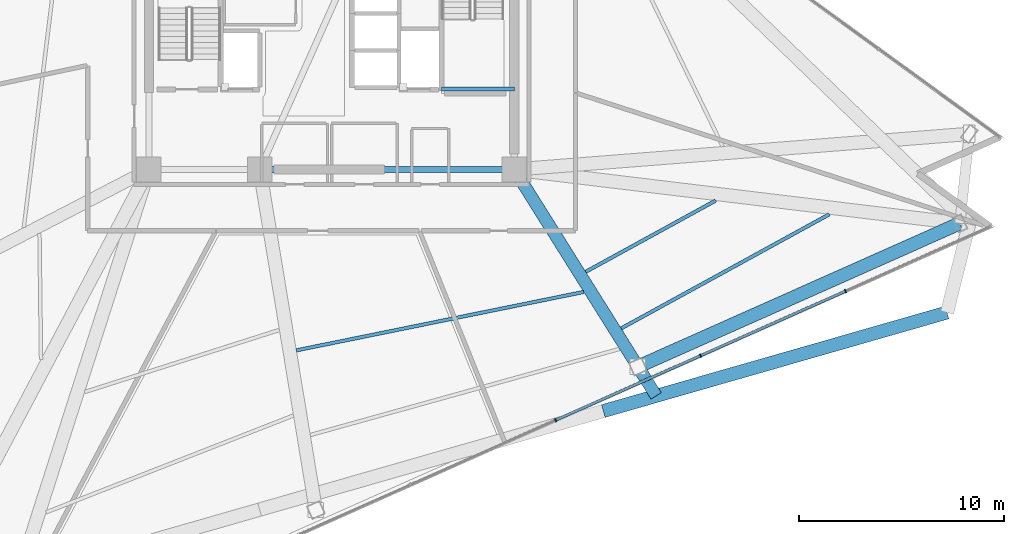
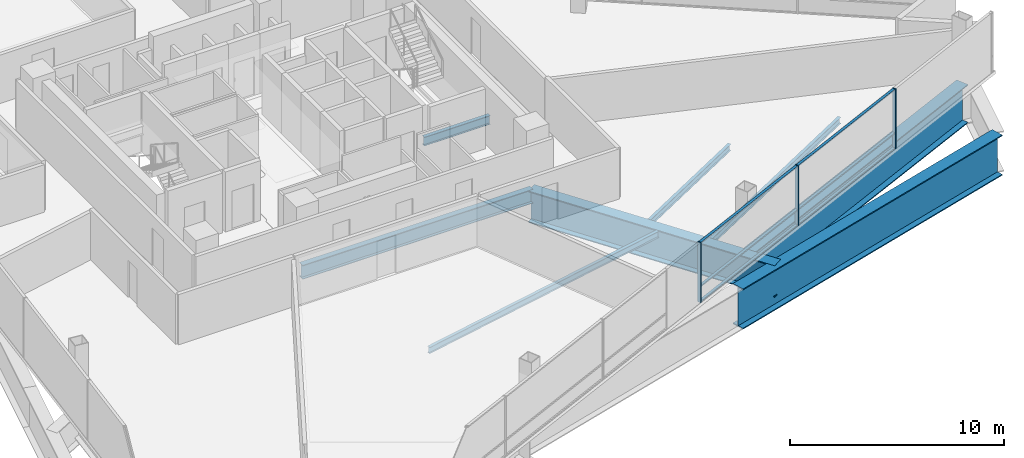
# One storey, part 5 of 17: 9 members, 8 beams, 1 element without a shape of its own.
"""IFC4 building model written with IfcOpenShell, lengths in metres."""

from ifc_helpers import new_model, si_unit, direction, frame, origin, origin_2d, place, context, subcontext, project, spatial, rectangle, i_section, extrude, material, layer, layer_set, material_profile, profile_set, type_object, element, aggregate, save


model = new_model("IFC4")

# Units and contexts
model_context = context("Model", 3, precision=1e-05, world=origin(), true_north=direction((0.0, 1.0)))
body_context = subcontext(model_context, "Body", "Model", "MODEL_VIEW")
ifc_project = project(units=[si_unit("LENGTHUNIT", "METRE"), si_unit("AREAUNIT", "SQUARE_METRE"), si_unit("VOLUMEUNIT", "CUBIC_METRE"), si_unit("PLANEANGLEUNIT", "RADIAN"), si_unit("MASSUNIT", "GRAM", prefix="KILO")], contexts=[model_context])

# Site, building, storey
site_placement = place(None, origin())
site = spatial("IfcSite", under=ifc_project, at=site_placement, CompositionType="ELEMENT")
building_placement = place(site_placement, origin())
building = spatial("IfcBuilding", under=site, at=building_placement, Name="Tharavind Bronze Gate", CompositionType="ELEMENT")
storey_placement = place(building_placement, frame((0.0, 0.0, 112.449951171875)))
storey = spatial("IfcBuildingStorey", under=building, at=storey_placement, Name="L28", CompositionType="ELEMENT", Elevation=112.449951171875)

# Curtain wall, members
ifc_material_1 = material(Name="Anodised Bronze Aluminium", Category="aluminium")
ifc_layer = layer(ifc_material_1, 0.219970703125)
ifc_layer_set = layer_set([ifc_layer], Name="Anodised Bronze Aluminium")
curtain_wall_type = type_object("IfcCurtainWallType", Name="UNITISED CURTAIN WALL LOWER OFFICE", PredefinedType="USERDEFINED", material=ifc_layer_set)
curtain_wall_placement = place(storey_placement, origin())
curtain_wall = element("IfcCurtainWall", 1, at=curtain_wall_placement, inside=storey, type_object=curtain_wall_type, Name="L28 unitised curtain wall lower office CW-L28-S2", ObjectType="UNITISED CURTAIN WALL", PredefinedType="USERDEFINED")
member_type_1 = type_object("IfcMemberType", Name="CURTAIN WALL BRONZE MULLION 65X180", PredefinedType="MULLION", material=ifc_material_1)
member_1_placement = place(storey_placement, frame((10.913330078125, -19.80859375, 0.0), z_axis=(0.0, 0.0, 1.0), x_axis=(0.913545457643, 0.406736643076, 0.0)))
member_1 = element("IfcMember", 2, at=member_1_placement, type_object=member_type_1, Name="CW-L28-S2 mullion 5", PredefinedType="MULLION", context=body_context, shape_type="SweptSolid", body=[
    extrude(rectangle(XDim=0.06494140625, YDim=0.179931640625, at=origin_2d()), origin(), (0.0, 0.0, 1.0), 3.409912109375),
])
member_2_placement = place(storey_placement, frame((17.9755859375, -16.664306640625, 0.0), z_axis=(0.0, 0.0, 1.0), x_axis=(0.913545457643, 0.406736643076, 0.0)))
member_2 = element("IfcMember", 3, at=member_2_placement, type_object=member_type_1, Name="CW-L28-S2 mullion 6", PredefinedType="MULLION", context=body_context, shape_type="SweptSolid", body=[
    extrude(rectangle(XDim=0.06494140625, YDim=0.179931640625, at=origin_2d()), origin(), (0.0, 0.0, 1.0), 3.409912109375),
])
member_3_placement = place(storey_placement, frame((25.03759765625, -13.520263671875, 0.0), z_axis=(0.0, 0.0, 1.0), x_axis=(0.913545457643, 0.406736643076, 0.0)))
member_3 = element("IfcMember", 4, at=member_3_placement, type_object=member_type_1, Name="CW-L28-S2 mullion 7", PredefinedType="MULLION", context=body_context, shape_type="SweptSolid", body=[
    extrude(rectangle(XDim=0.06494140625, YDim=0.179931640625, at=origin_2d()), origin(), (0.0, 0.0, 1.0), 3.409912109375),
])
member_type_2 = type_object("IfcMemberType", Name="CURTAIN WALL BRONZE TRANSOM 65X140", PredefinedType="USERDEFINED", material=ifc_material_1)
member_4_placement = place(storey_placement, frame((14.4443359375, -18.236572265625, 0.0), z_axis=(0.0, 0.0, 1.0), x_axis=(0.913545457643, 0.406736643076, 0.0)))
member_4 = element("IfcMember", 5, at=member_4_placement, type_object=member_type_2, Name="CW-L28-S2 transom TB5", ObjectType="TRANSOM", PredefinedType="USERDEFINED", context=body_context, shape_type="SweptSolid", body=[
    extrude(rectangle(XDim=7.677490234375, YDim=0.139892578125, at=origin_2d()), origin(), (0.0, 0.0, 1.0), 0.06494140625),
])
member_5_placement = place(storey_placement, frame((14.4443359375, -18.236572265625, 0.86767578125), z_axis=(0.0, 0.0, 1.0), x_axis=(0.913545457643, 0.406736643076, 0.0)))
member_5 = element("IfcMember", 6, at=member_5_placement, type_object=member_type_2, Name="CW-L28-S2 transom TS5", ObjectType="TRANSOM", PredefinedType="USERDEFINED", context=body_context, shape_type="SweptSolid", body=[
    extrude(rectangle(XDim=7.677490234375, YDim=0.139892578125, at=origin_2d()), origin(), (0.0, 0.0, 1.0), 0.06494140625),
])
member_6_placement = place(storey_placement, frame((14.4443359375, -18.236572265625, 3.344970703125), z_axis=(0.0, 0.0, 1.0), x_axis=(0.913545457643, 0.406736643076, 0.0)))
member_6 = element("IfcMember", 7, at=member_6_placement, type_object=member_type_2, Name="CW-L28-S2 transom TT5", ObjectType="TRANSOM", PredefinedType="USERDEFINED", context=body_context, shape_type="SweptSolid", body=[
    extrude(rectangle(XDim=7.677490234375, YDim=0.139892578125, at=origin_2d()), origin(), (0.0, 0.0, 1.0), 0.06494140625),
])
member_7_placement = place(storey_placement, frame((21.506591796875, -15.09228515625, 0.0), z_axis=(0.0, 0.0, 1.0), x_axis=(0.913545457643, 0.406736643076, 0.0)))
member_7 = element("IfcMember", 8, at=member_7_placement, type_object=member_type_2, Name="CW-L28-S2 transom TB6", ObjectType="TRANSOM", PredefinedType="USERDEFINED", context=body_context, shape_type="SweptSolid", body=[
    extrude(rectangle(XDim=7.677490234375, YDim=0.139892578125, at=origin_2d()), origin(), (0.0, 0.0, 1.0), 0.06494140625),
])
member_8_placement = place(storey_placement, frame((21.506591796875, -15.09228515625, 0.86767578125), z_axis=(0.0, 0.0, 1.0), x_axis=(0.913545457643, 0.406736643076, 0.0)))
member_8 = element("IfcMember", 9, at=member_8_placement, type_object=member_type_2, Name="CW-L28-S2 transom TS6", ObjectType="TRANSOM", PredefinedType="USERDEFINED", context=body_context, shape_type="SweptSolid", body=[
    extrude(rectangle(XDim=7.677490234375, YDim=0.139892578125, at=origin_2d()), origin(), (0.0, 0.0, 1.0), 0.06494140625),
])
member_9_placement = place(storey_placement, frame((21.506591796875, -15.09228515625, 3.344970703125), z_axis=(0.0, 0.0, 1.0), x_axis=(0.913545457643, 0.406736643076, 0.0)))
member_9 = element("IfcMember", 10, at=member_9_placement, type_object=member_type_2, Name="CW-L28-S2 transom TT6", ObjectType="TRANSOM", PredefinedType="USERDEFINED", context=body_context, shape_type="SweptSolid", body=[
    extrude(rectangle(XDim=7.677490234375, YDim=0.139892578125, at=origin_2d()), origin(), (0.0, 0.0, 1.0), 0.06494140625),
])
aggregate(curtain_wall, [member_1, member_2, member_3, member_4, member_5, member_6, member_7, member_8, member_9])

# Beams
ifc_material_2 = material(Name="Steel S355", Category="steel")
ifc_material_profile_1 = material_profile(ifc_material_2, i_section(OverallWidth=0.199951171875, OverallDepth=0.5, WebThickness=0.01025390625, FlangeThickness=0.01611328125, at=origin_2d()), Name="IPE500")
ifc_profile_set_1 = profile_set([ifc_material_profile_1], Name="Steel S355")
beam_type_1 = type_object("IfcBeamType", Name="PRIMARY GIRDER IPE500", PredefinedType="USERDEFINED", material=ifc_profile_set_1)
beam_1_placement = place(storey_placement, frame((5.35009765625, -3.679931640625, 1.35009765625), z_axis=(1.0, 0.0, 0.0), x_axis=(0.0, 1.0, 0.0)))
element("IfcBeam", 11, at=beam_1_placement, inside=storey, type_object=beam_type_1, Name="L28 primary girder ipe500 BM-LD-ST2-L28-1", ObjectType="GIRDER", PredefinedType="USERDEFINED", context=body_context, shape_type="SweptSolid", body=[
    extrude(i_section(OverallWidth=0.199951171875, OverallDepth=0.5, WebThickness=0.01025390625, FlangeThickness=0.01611328125, at=origin_2d()), origin(), (0.0, 0.0, 1.0), 3.5498046875),
])
ifc_material_profile_2 = material_profile(ifc_material_2, i_section(OverallWidth=0.300048828125, OverallDepth=0.800048828125, WebThickness=0.017578125, FlangeThickness=0.032958984375, at=origin_2d()), Name="HE800B")
ifc_profile_set_2 = profile_set([ifc_material_profile_2], Name="Steel S355")
beam_type_2 = type_object("IfcBeamType", Name="RING GIRDER HE800B", PredefinedType="USERDEFINED", material=ifc_profile_set_2)
beam_2_placement = place(storey_placement, frame((-3.5, -7.60009765625, -0.58984375), z_axis=(1.0, 0.0, 0.0), x_axis=(0.0, 1.0, 0.0)))
element("IfcBeam", 12, at=beam_2_placement, inside=storey, type_object=beam_type_2, Name="L28 ring girder he800b BM-L28-CR2", ObjectType="GIRDER", PredefinedType="USERDEFINED", context=body_context, shape_type="SweptSolid", body=[
    extrude(i_section(OverallWidth=0.300048828125, OverallDepth=0.800048828125, WebThickness=0.017578125, FlangeThickness=0.032958984375, at=origin_2d()), origin(), (0.0, 0.0, 1.0), 12.39990234375),
])
ifc_material_profile_3 = material_profile(ifc_material_2, i_section(OverallWidth=0.169921875, OverallDepth=0.360107421875, WebThickness=0.008056640625, FlangeThickness=0.0126953125, at=origin_2d()), Name="IPE360")
ifc_profile_set_3 = profile_set([ifc_material_profile_3], Name="Steel S355")
beam_type_3 = type_object("IfcBeamType", Name="SECONDARY FLOOR JOIST IPE360", PredefinedType="JOIST", material=ifc_profile_set_3)
beam_3_placement = place(storey_placement, frame((-1.71484375, -16.408935546875, -0.369873046875), z_axis=(0.979957764695, 0.199205369943, 0.0), x_axis=(-0.199205369943, 0.979957764695, 0.0)))
element("IfcBeam", 13, at=beam_3_placement, inside=storey, type_object=beam_type_3, Name="L28 secondary floor joist ipe360 BM-L28-JSTA06", PredefinedType="JOIST", context=body_context, shape_type="SweptSolid", body=[
    extrude(i_section(OverallWidth=0.169921875, OverallDepth=0.360107421875, WebThickness=0.008056640625, FlangeThickness=0.0126953125, at=origin_2d()), origin(), (0.0, 0.0, 1.0), 14.281494140625),
])
beam_4_placement = place(storey_placement, frame((12.381591796875, -12.5810546875, -0.369873046875), z_axis=(0.876896613031, 0.480679030181, 0.0), x_axis=(-0.480679030181, 0.876896613031, 0.0)))
element("IfcBeam", 14, at=beam_4_placement, inside=storey, type_object=beam_type_3, Name="L28 secondary floor joist ipe360 BM-L28-JSTA07", PredefinedType="JOIST", context=body_context, shape_type="SweptSolid", body=[
    extrude(i_section(OverallWidth=0.169921875, OverallDepth=0.360107421875, WebThickness=0.008056640625, FlangeThickness=0.0126953125, at=origin_2d()), origin(), (0.0, 0.0, 1.0), 7.21484375),
])
beam_5_placement = place(storey_placement, frame((14.10986328125, -15.337890625, -0.369873046875), z_axis=(0.876892820488, 0.480685948803, 0.0), x_axis=(-0.480685948803, 0.876892820488, 0.0)))
element("IfcBeam", 15, at=beam_5_placement, inside=storey, type_object=beam_type_3, Name="L28 secondary floor joist ipe360 BM-L28-JSTB07", PredefinedType="JOIST", context=body_context, shape_type="SweptSolid", body=[
    extrude(i_section(OverallWidth=0.169921875, OverallDepth=0.360107421875, WebThickness=0.008056640625, FlangeThickness=0.0126953125, at=origin_2d()), origin(), (0.0, 0.0, 1.0), 11.559814453125),
])
ifc_material_3 = material(Name="Steel S460", Category="steel")
ifc_material_profile_4 = material_profile(ifc_material_3, i_section(OverallWidth=0.60009765625, OverallDepth=1.800048828125, WebThickness=0.031982421875, FlangeThickness=0.054931640625, at=origin_2d()), Name="PG1800X600")
ifc_profile_set_4 = profile_set([ifc_material_profile_4], Name="Steel S460")
beam_type_4 = type_object("IfcBeamType", Name="TRANSFER GIRDER 1800X600", PredefinedType="USERDEFINED", material=ifc_profile_set_4)
beam_6_placement = place(storey_placement, frame((8.89990234375, -7.60009765625, -1.08984375), z_axis=(0.531183831246, -0.847256594795, 0.0), x_axis=(0.847256594795, 0.531183831246, 0.0)))
element("IfcBeam", 16, at=beam_6_placement, inside=storey, type_object=beam_type_4, Name="L28 transfer girder 1800x600 BM-L28-XFR07", ObjectType="TRANSFER GIRDER", PredefinedType="USERDEFINED", context=body_context, shape_type="SweptSolid", body=[
    extrude(i_section(OverallWidth=0.60009765625, OverallDepth=1.800048828125, WebThickness=0.031982421875, FlangeThickness=0.054931640625, at=origin_2d()), origin(), (0.0, 0.0, 1.0), 13.014404296875),
])
ifc_material_profile_5 = material_profile(ifc_material_3, i_section(OverallWidth=0.64990234375, OverallDepth=2.199951171875, WebThickness=0.035888671875, FlangeThickness=0.054931640625, at=origin_2d()), Name="PG2200X650")
ifc_profile_set_5 = profile_set([ifc_material_profile_5], Name="Steel S460")
beam_type_5 = type_object("IfcBeamType", Name="TRANSFER GIRDER 2200X650", PredefinedType="USERDEFINED", material=ifc_profile_set_5)
beam_7_placement = place(storey_placement, frame((14.9208984375, -17.20361328125, -1.2900390625), z_axis=(0.913538716284, 0.406751784078, 0.0), x_axis=(-0.406751784078, 0.913538716284, 0.0)))
element("IfcBeam", 17, at=beam_7_placement, inside=storey, type_object=beam_type_5, Name="L28 transfer girder 2200x650 BM-L28-URG07", ObjectType="TRANSFER GIRDER", PredefinedType="USERDEFINED", context=body_context, shape_type="SweptSolid", body=[
    extrude(i_section(OverallWidth=0.64990234375, OverallDepth=2.199951171875, WebThickness=0.035888671875, FlangeThickness=0.054931640625, at=origin_2d()), origin(), (0.0, 0.0, 1.0), 17.171630859375),
])
ifc_material_profile_6 = material_profile(ifc_material_3, i_section(OverallWidth=0.64990234375, OverallDepth=2.300048828125, WebThickness=0.035888671875, FlangeThickness=0.05810546875, at=origin_2d()), Name="PG2300X650")
ifc_profile_set_6 = profile_set([ifc_material_profile_6], Name="Steel S460")
beam_type_6 = type_object("IfcBeamType", Name="TRANSFER GIRDER 2300X650", PredefinedType="USERDEFINED", material=ifc_profile_set_6)
beam_8_placement = place(storey_placement, frame((13.23779296875, -19.365234375, -1.33984375), z_axis=(0.961264911639, 0.275626141088, 0.0), x_axis=(-0.275626141088, 0.961264911639, 0.0)))
element("IfcBeam", 18, at=beam_8_placement, inside=storey, type_object=beam_type_6, Name="L28 transfer girder 2300x650 BM-L28-LRG07", ObjectType="TRANSFER GIRDER", PredefinedType="USERDEFINED", context=body_context, shape_type="SweptSolid", body=[
    extrude(i_section(OverallWidth=0.64990234375, OverallDepth=2.300048828125, WebThickness=0.035888671875, FlangeThickness=0.05810546875, at=origin_2d()), origin(), (0.0, 0.0, 1.0), 17.42041015625),
])

save(model, "model.ifc")
